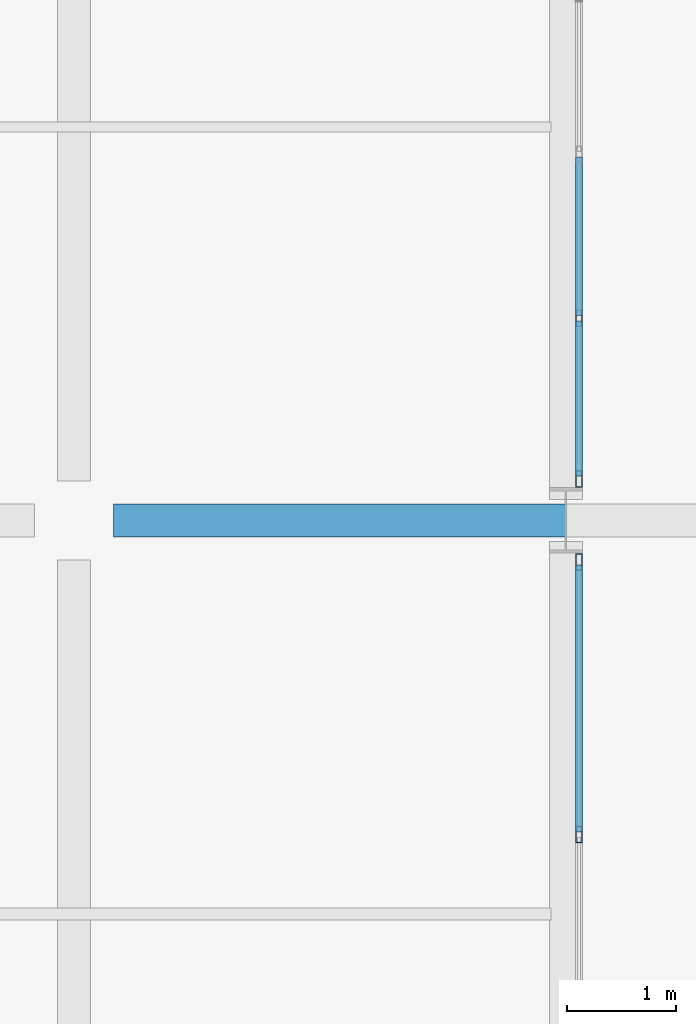
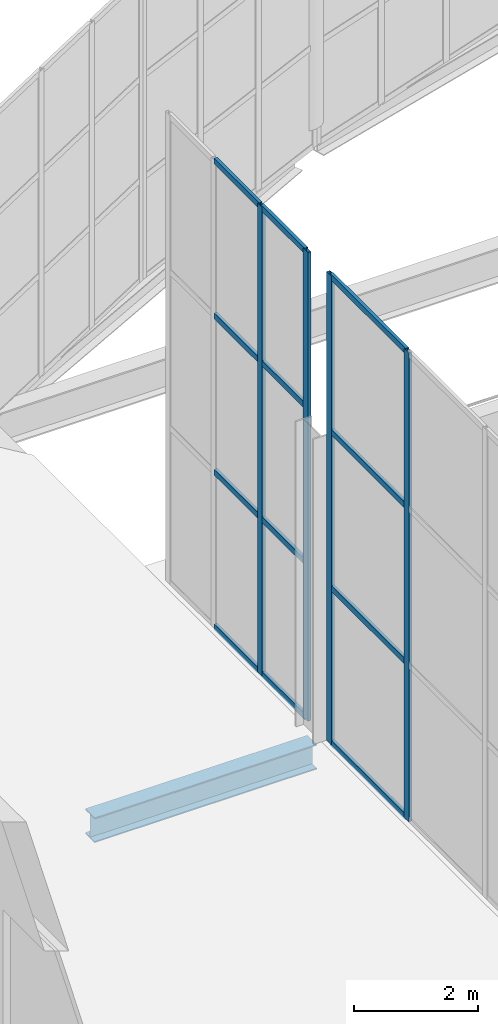
# One storey, part 94 of 191: 16 members, 1 beam, 2 elements without a shape of their own.
"""IFC4 building model written with IfcOpenShell, lengths in metres."""

from ifc_helpers import new_model, si_unit, direction, frame, origin, origin_2d, place, context, subcontext, project, spatial, hollow_rectangle, i_section, extrude, material, layer, layer_set, material_profile, profile_set, type_object, element, aggregate, save


model = new_model("IFC4")

# Units and contexts
model_context = context("Model", 3, precision=1e-05, world=origin(), true_north=direction((0.0, 1.0)))
body_context = subcontext(model_context, "Body", "Model", "MODEL_VIEW")
ifc_project = project(units=[si_unit("LENGTHUNIT", "METRE"), si_unit("AREAUNIT", "SQUARE_METRE"), si_unit("VOLUMEUNIT", "CUBIC_METRE"), si_unit("PLANEANGLEUNIT", "RADIAN"), si_unit("MASSUNIT", "GRAM", prefix="KILO")], contexts=[model_context])

# Site, building, storey
site_placement = place(None, origin())
site = spatial("IfcSite", under=ifc_project, at=site_placement, CompositionType="ELEMENT")
building_placement = place(site_placement, origin())
building = spatial("IfcBuilding", under=site, at=building_placement, Name="Tamarisk Ironworks Central Station", CompositionType="ELEMENT")
storey_placement = place(building_placement, frame((0.0, 0.0, 6.60009765625)))
storey = spatial("IfcBuildingStorey", under=building, at=storey_placement, Name="L01", CompositionType="ELEMENT", Elevation=6.60009765625)

# Beam
ifc_material_1 = material(Name="Structural steel S355J2", Category="steel")
ifc_material_profile_1 = material_profile(ifc_material_1, i_section(OverallWidth=0.300048828125, OverallDepth=0.489990234375, WebThickness=0.011962890625, FlangeThickness=0.02294921875, at=origin_2d()), Name="HEA 500")
ifc_profile_set_1 = profile_set([ifc_material_profile_1], Name="Structural steel S355J2")
beam_type = type_object("IfcBeamType", Name="BM-G05", PredefinedType="BEAM", material=ifc_profile_set_1)
beam_placement = place(storey_placement, frame((49.863037109375, 100.800048828125, -0.385009765625), z_axis=(1.0, 0.0, 0.0), x_axis=(0.0, 1.0, 0.0)))
element("IfcBeam", 1, at=beam_placement, inside=storey, type_object=beam_type, Name="L01 primary girder X-0115", PredefinedType="BEAM", context=body_context, shape_type="SweptSolid", body=[
    extrude(i_section(OverallWidth=0.300048828125, OverallDepth=0.489990234375, WebThickness=0.011962890625, FlangeThickness=0.02294921875, at=origin_2d()), origin(), (0.0, 0.0, 1.0), 4.133056640625),
])

# Curtain wall, members
ifc_material_2 = material(Name="Anodized aluminium alloy 6063-T6", Category="aluminium")
ifc_layer_1 = layer(ifc_material_2, 0.179931640625)
ifc_layer_set_1 = layer_set([ifc_layer_1], Name="Anodized aluminium alloy 6063-T6")
curtain_wall_type_1 = type_object("IfcCurtainWallType", Name="CW-08", PredefinedType="USERDEFINED", material=ifc_layer_set_1)
curtain_wall_1_placement = place(storey_placement, origin())
curtain_wall_1 = element("IfcCurtainWall", 2, at=curtain_wall_1_placement, inside=storey, type_object=curtain_wall_type_1, Name="Concourse W track-overlook curtain wall 07", ObjectType="GLAZED CURTAIN WALL", PredefinedType="USERDEFINED")
ifc_material_profile_2 = material_profile(ifc_material_2, hollow_rectangle(XDim=0.06005859375, YDim=0.14990234375, WallThickness=0.00341796875, at=origin_2d()), Name="ALUM 150x60")
ifc_profile_set_2 = profile_set([ifc_material_profile_2], Name="Anodized aluminium alloy 6063-T6")
member_type_1 = type_object("IfcMemberType", Name="CWM-03", PredefinedType="MULLION", material=ifc_profile_set_2)
member_1_placement = place(storey_placement, frame((54.1201171875, 97.925048828125, 0.0), z_axis=(0.0, 0.0, 1.0), x_axis=(-1.0, 0.0, 0.0)))
member_1 = element("IfcMember", 3, at=member_1_placement, type_object=member_type_1, Name="CW08 mullion 4", PredefinedType="MULLION", context=body_context, shape_type="SweptSolid", body=[
    extrude(hollow_rectangle(XDim=0.06005859375, YDim=0.14990234375, WallThickness=0.00341796875, at=origin_2d()), origin(), (0.0, 0.0, 1.0), 9.219970703125),
])
member_2_placement = place(storey_placement, frame((54.1201171875, 100.419921875, 0.0), z_axis=(0.0, 0.0, 1.0), x_axis=(-1.0, 0.0, 0.0)))
member_2 = element("IfcMember", 4, at=member_2_placement, type_object=member_type_1, Name="CW08 mullion 5", PredefinedType="MULLION", context=body_context, shape_type="SweptSolid", body=[
    extrude(hollow_rectangle(XDim=0.06005859375, YDim=0.14990234375, WallThickness=0.00341796875, at=origin_2d()), origin(), (0.0, 0.0, 1.0), 9.219970703125),
])

ifc_layer_2 = layer(ifc_material_2, 0.179931640625)
ifc_layer_set_2 = layer_set([ifc_layer_2], Name="Anodized aluminium alloy 6063-T6")
curtain_wall_type_2 = type_object("IfcCurtainWallType", Name="CW-05", PredefinedType="USERDEFINED", material=ifc_layer_set_2)
curtain_wall_2_placement = place(storey_placement, origin())
curtain_wall_2 = element("IfcCurtainWall", 5, at=curtain_wall_2_placement, inside=storey, type_object=curtain_wall_type_2, Name="Concourse W track-overlook curtain wall 08", ObjectType="GLAZED CURTAIN WALL", PredefinedType="USERDEFINED")
member_3_placement = place(storey_placement, frame((54.1201171875, 101.179931640625, 0.0), z_axis=(0.0, 0.0, 1.0), x_axis=(-1.0, 0.0, 0.0)))
member_3 = element("IfcMember", 6, at=member_3_placement, type_object=member_type_1, Name="CW05 mullion 1", PredefinedType="MULLION", context=body_context, shape_type="SweptSolid", body=[
    extrude(hollow_rectangle(XDim=0.06005859375, YDim=0.14990234375, WallThickness=0.00341796875, at=origin_2d()), origin(), (0.0, 0.0, 1.0), 9.219970703125),
])
member_4_placement = place(storey_placement, frame((54.1201171875, 102.64990234375, 0.0), z_axis=(0.0, 0.0, 1.0), x_axis=(-1.0, 0.0, 0.0)))
member_4 = element("IfcMember", 7, at=member_4_placement, type_object=member_type_1, Name="CW05 mullion 2", PredefinedType="MULLION", context=body_context, shape_type="SweptSolid", body=[
    extrude(hollow_rectangle(XDim=0.06005859375, YDim=0.14990234375, WallThickness=0.00341796875, at=origin_2d()), origin(), (0.0, 0.0, 1.0), 9.219970703125),
])

# Member
ifc_material_profile_3 = material_profile(ifc_material_2, hollow_rectangle(XDim=0.06005859375, YDim=0.114990234375, WallThickness=0.00341796875, at=origin_2d()), Name="ALUM 115x60")
ifc_profile_set_3 = profile_set([ifc_material_profile_3], Name="Anodized aluminium alloy 6063-T6")
member_type_2 = type_object("IfcMemberType", Name="CWT-03", PredefinedType="USERDEFINED", material=ifc_profile_set_3)
member_5_placement = place(storey_placement, frame((54.1201171875, 97.950927734375, 0.02978515625), z_axis=(0.0, 1.0, 0.0), x_axis=(-1.0, 0.0, 0.0)))
member_5 = element("IfcMember", 8, at=member_5_placement, type_object=member_type_2, Name="CW08 transom 4.1", ObjectType="TRANSOM", PredefinedType="USERDEFINED", context=body_context, shape_type="SweptSolid", body=[
    extrude(hollow_rectangle(XDim=0.06005859375, YDim=0.114990234375, WallThickness=0.00341796875, at=origin_2d()), origin(), (0.0, 0.0, 1.0), 2.443115234375),
])

member_6_placement = place(storey_placement, frame((54.1201171875, 97.950927734375, 3.0732421875), z_axis=(0.0, 1.0, 0.0), x_axis=(-1.0, 0.0, 0.0)))
member_6 = element("IfcMember", 9, at=member_6_placement, type_object=member_type_2, Name="CW08 transom 4.2", ObjectType="TRANSOM", PredefinedType="USERDEFINED", context=body_context, shape_type="SweptSolid", body=[
    extrude(hollow_rectangle(XDim=0.06005859375, YDim=0.114990234375, WallThickness=0.00341796875, at=origin_2d()), origin(), (0.0, 0.0, 1.0), 2.443115234375),
])

member_7_placement = place(storey_placement, frame((54.1201171875, 97.950927734375, 6.146484375), z_axis=(0.0, 1.0, 0.0), x_axis=(-1.0, 0.0, 0.0)))
member_7 = element("IfcMember", 10, at=member_7_placement, type_object=member_type_2, Name="CW08 transom 4.3", ObjectType="TRANSOM", PredefinedType="USERDEFINED", context=body_context, shape_type="SweptSolid", body=[
    extrude(hollow_rectangle(XDim=0.06005859375, YDim=0.114990234375, WallThickness=0.00341796875, at=origin_2d()), origin(), (0.0, 0.0, 1.0), 2.443115234375),
])

member_8_placement = place(storey_placement, frame((54.1201171875, 97.950927734375, 9.18994140625), z_axis=(0.0, 1.0, 0.0), x_axis=(-1.0, 0.0, 0.0)))
member_8 = element("IfcMember", 11, at=member_8_placement, type_object=member_type_2, Name="CW08 transom 4.4", ObjectType="TRANSOM", PredefinedType="USERDEFINED", context=body_context, shape_type="SweptSolid", body=[
    extrude(hollow_rectangle(XDim=0.06005859375, YDim=0.114990234375, WallThickness=0.00341796875, at=origin_2d()), origin(), (0.0, 0.0, 1.0), 2.443115234375),
])

aggregate(curtain_wall_1, [member_1, member_2, member_5, member_6, member_7, member_8])

member_9_placement = place(storey_placement, frame((54.1201171875, 101.2060546875, 0.02978515625), z_axis=(0.0, 1.0, 0.0), x_axis=(-1.0, 0.0, 0.0)))
member_9 = element("IfcMember", 12, at=member_9_placement, type_object=member_type_2, Name="CW05 transom 1.1", ObjectType="TRANSOM", PredefinedType="USERDEFINED", context=body_context, shape_type="SweptSolid", body=[
    extrude(hollow_rectangle(XDim=0.06005859375, YDim=0.114990234375, WallThickness=0.00341796875, at=origin_2d()), origin(), (0.0, 0.0, 1.0), 1.41796875),
])

member_10_placement = place(storey_placement, frame((54.1201171875, 101.2060546875, 3.0732421875), z_axis=(0.0, 1.0, 0.0), x_axis=(-1.0, 0.0, 0.0)))
member_10 = element("IfcMember", 13, at=member_10_placement, type_object=member_type_2, Name="CW05 transom 1.2", ObjectType="TRANSOM", PredefinedType="USERDEFINED", context=body_context, shape_type="SweptSolid", body=[
    extrude(hollow_rectangle(XDim=0.06005859375, YDim=0.114990234375, WallThickness=0.00341796875, at=origin_2d()), origin(), (0.0, 0.0, 1.0), 1.41796875),
])

member_11_placement = place(storey_placement, frame((54.1201171875, 101.2060546875, 6.146484375), z_axis=(0.0, 1.0, 0.0), x_axis=(-1.0, 0.0, 0.0)))
member_11 = element("IfcMember", 14, at=member_11_placement, type_object=member_type_2, Name="CW05 transom 1.3", ObjectType="TRANSOM", PredefinedType="USERDEFINED", context=body_context, shape_type="SweptSolid", body=[
    extrude(hollow_rectangle(XDim=0.06005859375, YDim=0.114990234375, WallThickness=0.00341796875, at=origin_2d()), origin(), (0.0, 0.0, 1.0), 1.41796875),
])

member_12_placement = place(storey_placement, frame((54.1201171875, 101.2060546875, 9.18994140625), z_axis=(0.0, 1.0, 0.0), x_axis=(-1.0, 0.0, 0.0)))
member_12 = element("IfcMember", 15, at=member_12_placement, type_object=member_type_2, Name="CW05 transom 1.4", ObjectType="TRANSOM", PredefinedType="USERDEFINED", context=body_context, shape_type="SweptSolid", body=[
    extrude(hollow_rectangle(XDim=0.06005859375, YDim=0.114990234375, WallThickness=0.00341796875, at=origin_2d()), origin(), (0.0, 0.0, 1.0), 1.41796875),
])

member_13_placement = place(storey_placement, frame((54.1201171875, 102.676025390625, 0.02978515625), z_axis=(0.0, 1.0, 0.0), x_axis=(-1.0, 0.0, 0.0)))
member_13 = element("IfcMember", 16, at=member_13_placement, type_object=member_type_2, Name="CW05 transom 2.1", ObjectType="TRANSOM", PredefinedType="USERDEFINED", context=body_context, shape_type="SweptSolid", body=[
    extrude(hollow_rectangle(XDim=0.06005859375, YDim=0.114990234375, WallThickness=0.00341796875, at=origin_2d()), origin(), (0.0, 0.0, 1.0), 1.447998046875),
])

member_14_placement = place(storey_placement, frame((54.1201171875, 102.676025390625, 3.0732421875), z_axis=(0.0, 1.0, 0.0), x_axis=(-1.0, 0.0, 0.0)))
member_14 = element("IfcMember", 17, at=member_14_placement, type_object=member_type_2, Name="CW05 transom 2.2", ObjectType="TRANSOM", PredefinedType="USERDEFINED", context=body_context, shape_type="SweptSolid", body=[
    extrude(hollow_rectangle(XDim=0.06005859375, YDim=0.114990234375, WallThickness=0.00341796875, at=origin_2d()), origin(), (0.0, 0.0, 1.0), 1.447998046875),
])

member_15_placement = place(storey_placement, frame((54.1201171875, 102.676025390625, 6.146484375), z_axis=(0.0, 1.0, 0.0), x_axis=(-1.0, 0.0, 0.0)))
member_15 = element("IfcMember", 18, at=member_15_placement, type_object=member_type_2, Name="CW05 transom 2.3", ObjectType="TRANSOM", PredefinedType="USERDEFINED", context=body_context, shape_type="SweptSolid", body=[
    extrude(hollow_rectangle(XDim=0.06005859375, YDim=0.114990234375, WallThickness=0.00341796875, at=origin_2d()), origin(), (0.0, 0.0, 1.0), 1.447998046875),
])

member_16_placement = place(storey_placement, frame((54.1201171875, 102.676025390625, 9.18994140625), z_axis=(0.0, 1.0, 0.0), x_axis=(-1.0, 0.0, 0.0)))
member_16 = element("IfcMember", 19, at=member_16_placement, type_object=member_type_2, Name="CW05 transom 2.4", ObjectType="TRANSOM", PredefinedType="USERDEFINED", context=body_context, shape_type="SweptSolid", body=[
    extrude(hollow_rectangle(XDim=0.06005859375, YDim=0.114990234375, WallThickness=0.00341796875, at=origin_2d()), origin(), (0.0, 0.0, 1.0), 1.447998046875),
])

aggregate(curtain_wall_2, [member_3, member_4, member_9, member_10, member_11, member_12, member_13, member_14, member_15, member_16])

save(model, "model.ifc")
